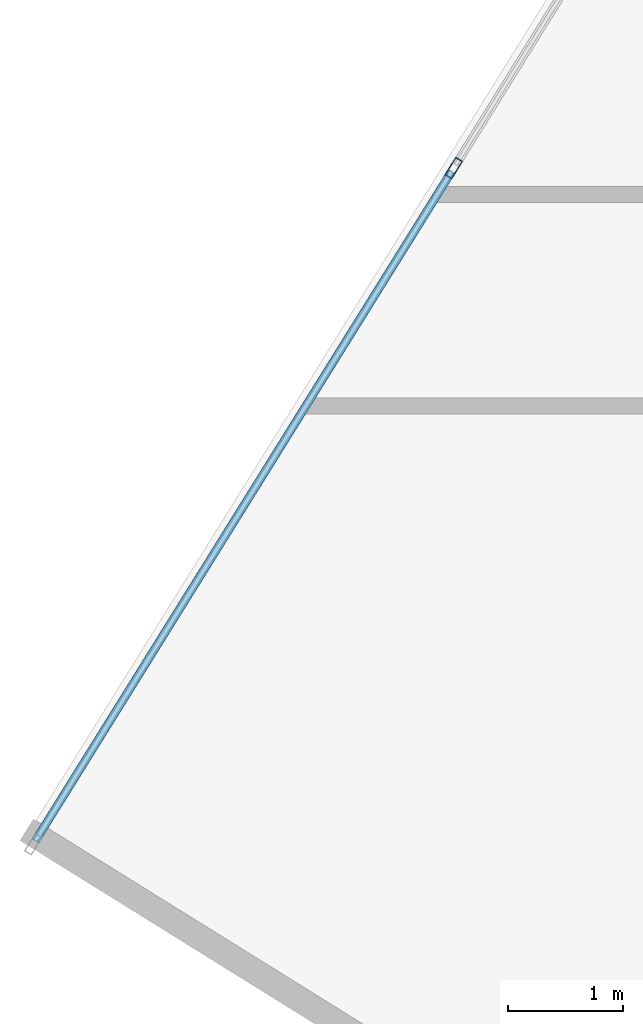
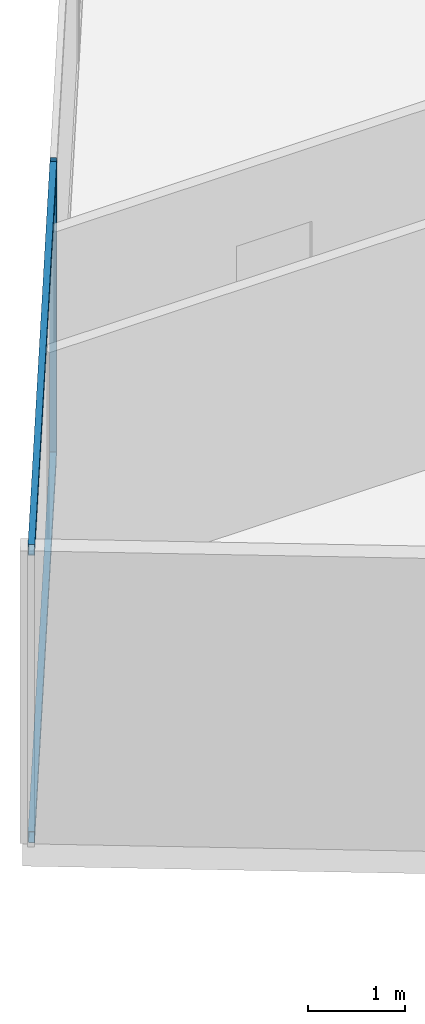
# One storey, part 7 of 25: 3 members, 1 element without a shape of its own.
"""IFC4 building model written with IfcOpenShell, lengths in metres."""

from ifc_helpers import new_model, si_unit, direction, frame, origin, origin_2d, place, context, subcontext, project, spatial, hollow_rectangle, extrude, source, transform, mapped, material, material_profile, profile_set, type_object, type_shapes, element, aggregate, save


model = new_model("IFC4")

# Units and contexts
model_context = context("Model", 3, precision=1e-05, world=origin(), true_north=direction((0.0, 1.0)))
body_context = subcontext(model_context, "Body", "Model", "MODEL_VIEW")
ifc_project = project(units=[si_unit("LENGTHUNIT", "METRE"), si_unit("AREAUNIT", "SQUARE_METRE"), si_unit("VOLUMEUNIT", "CUBIC_METRE"), si_unit("PLANEANGLEUNIT", "RADIAN"), si_unit("MASSUNIT", "GRAM", prefix="KILO")], contexts=[model_context])

# Site, building, storey
site_placement = place(None, origin())
site = spatial("IfcSite", under=ifc_project, at=site_placement, CompositionType="ELEMENT")
building_placement = place(site_placement, origin())
building = spatial("IfcBuilding", under=site, at=building_placement, Name="Krantzveldt Concourse Tower", CompositionType="ELEMENT")
storey_placement = place(building_placement, frame((0.0, 0.0, 177.800048828125)))
storey = spatial("IfcBuildingStorey", under=building, at=storey_placement, Name="L43", CompositionType="ELEMENT", Elevation=177.800048828125)

# Curtain wall, members
ifc_material = material(Name="Anodised aluminium 6063-T6", Category="aluminium")
curtain_wall_type = type_object("IfcCurtainWallType", Name="CW3", PredefinedType="USERDEFINED", material=ifc_material)
curtain_wall_placement = place(storey_placement, origin())
curtain_wall = element("IfcCurtainWall", 1, at=curtain_wall_placement, inside=storey, type_object=curtain_wall_type, Name="CW-L43-F01", ObjectType="UNITISED CURTAIN WALL", PredefinedType="USERDEFINED")
ifc_material_profile_1 = material_profile(ifc_material, hollow_rectangle(XDim=0.070068359375, YDim=0.179931640625, WallThickness=0.0048828125, at=origin_2d()), Name="Anodised aluminium 6063-T6", Category="aluminium")
ifc_profile_set_1 = profile_set([ifc_material_profile_1], Name="Anodised aluminium 6063-T6 - ALU-MULL 180x70x5")
member_type_1 = type_object("IfcMemberType", Name="CW-MUL-180", PredefinedType="MULLION", material=ifc_profile_set_1)
shared_shape_1 = source(origin(), body_context, "Body", "SweptSolid", [
    extrude(hollow_rectangle(XDim=0.070068359375, YDim=0.179931640625, WallThickness=0.0048828125, at=origin_2d()), origin(), (0.0, 0.0, 1.0), 3.669921875),
])
type_shapes(member_type_1, [shared_shape_1])
member_1_placement = place(storey_placement, frame((11.9658203125, 29.3515625, 0.0), z_axis=(0.0, 0.0, 1.0), x_axis=(0.84920214961, -0.528067901977, 0.0)))
member_1 = element("IfcMember", 2, at=member_1_placement, type_object=member_type_1, Name="CW-Z34 mullion 5", PredefinedType="MULLION", context=body_context, shape_type="MappedRepresentation", body=[
    mapped(shared_shape_1, transform((0.0, 0.0, 0.0), x_axis=(1.0, 0.0, 0.0), y_axis=(0.0, 1.0, 0.0), z_axis=(0.0, 0.0, 1.0), scale=1.0)),
])
ifc_material_profile_2 = material_profile(ifc_material, hollow_rectangle(XDim=0.070068359375, YDim=0.139892578125, WallThickness=0.0048828125, at=origin_2d()), Name="Anodised aluminium 6063-T6", Category="aluminium")
ifc_profile_set_2 = profile_set([ifc_material_profile_2], Name="Anodised aluminium 6063-T6 - ALU-TRAN 140x70x5")
member_type_2 = type_object("IfcMemberType", Name="CW-TRN-150", PredefinedType="USERDEFINED", material=ifc_profile_set_2)
shared_shape_2 = source(origin(), body_context, "Body", "SweptSolid", [
    extrude(hollow_rectangle(XDim=0.070068359375, YDim=0.139892578125, WallThickness=0.0048828125, at=origin_2d()), origin(), (0.0, 0.0, 1.0), 6.855224609375),
])
type_shapes(member_type_2, [shared_shape_2])
member_2_placement = place(storey_placement, frame((11.947509765625, 29.32177734375, 0.034912109375), z_axis=(-0.528089629534, -0.849188638159, 0.0), x_axis=(0.849188638159, -0.528089629534, 0.0)))
member_2 = element("IfcMember", 3, at=member_2_placement, type_object=member_type_2, Name="CW-Z34 transom 5.1", ObjectType="TRANSOM", PredefinedType="USERDEFINED", context=body_context, shape_type="MappedRepresentation", body=[
    mapped(shared_shape_2, transform((0.0, 0.0, 0.0), x_axis=(1.0, 0.0, 0.0), y_axis=(0.0, 1.0, 0.0), z_axis=(0.0, 0.0, 1.0), scale=1.0)),
])
member_3_placement = place(storey_placement, frame((11.947509765625, 29.32177734375, 3.635009765625), z_axis=(-0.528089629534, -0.849188638159, 0.0), x_axis=(0.849188638159, -0.528089629534, 0.0)))
member_3 = element("IfcMember", 4, at=member_3_placement, type_object=member_type_2, Name="CW-Z34 transom 5.2", ObjectType="TRANSOM", PredefinedType="USERDEFINED", context=body_context, shape_type="MappedRepresentation", body=[
    mapped(shared_shape_2, transform((0.0, 0.0, 0.0), x_axis=(1.0, 0.0, 0.0), y_axis=(0.0, 1.0, 0.0), z_axis=(0.0, 0.0, 1.0), scale=1.0)),
])
aggregate(curtain_wall, [member_1, member_2, member_3])

save(model, "model.ifc")
